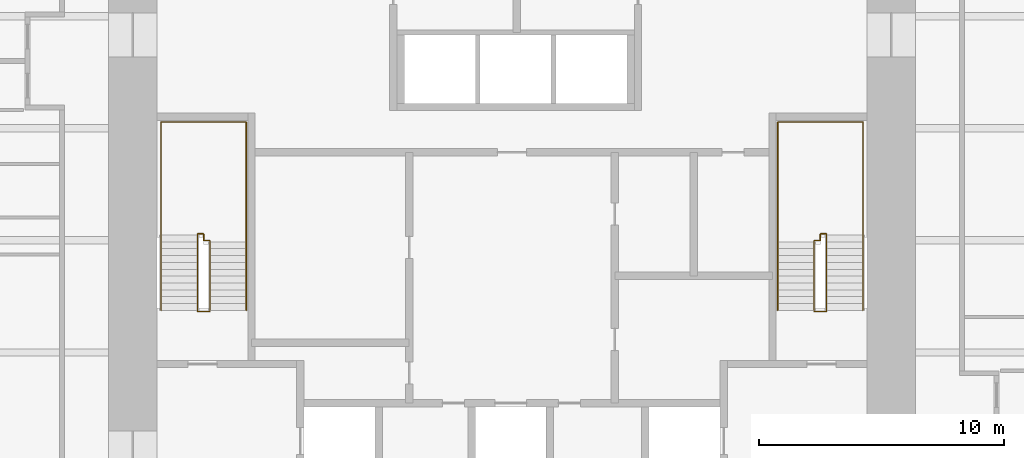
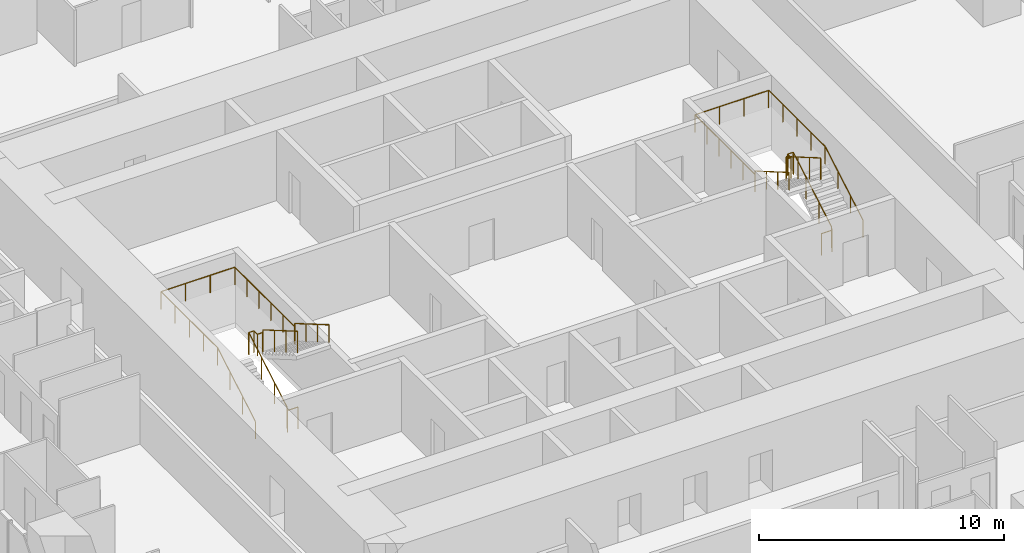
# One storey, part 13 of 13: 4 railings.
"""IFC4 building model written with IfcOpenShell, lengths in metres."""

from ifc_helpers import new_model, si_unit, direction, frame, origin, origin_2d, place, context, subcontext, project, spatial, circle, extrude, material, type_object, element, save


model = new_model("IFC4")

# Units and contexts
model_context = context("Model", 3, precision=1e-05, world=origin(), true_north=direction((0.0, 1.0)))
body_context = subcontext(model_context, "Body", "Model", "MODEL_VIEW")
ifc_project = project(units=[si_unit("LENGTHUNIT", "METRE"), si_unit("AREAUNIT", "SQUARE_METRE"), si_unit("VOLUMEUNIT", "CUBIC_METRE"), si_unit("PLANEANGLEUNIT", "RADIAN"), si_unit("MASSUNIT", "GRAM", prefix="KILO")], contexts=[model_context])

# Site, building, storey
site_placement = place(None, origin())
site = spatial("IfcSite", under=ifc_project, at=site_placement, CompositionType="ELEMENT")
building_placement = place(site_placement, origin())
building = spatial("IfcBuilding", under=site, at=building_placement, Name="Khuree Lantern Residences", CompositionType="ELEMENT")
storey_placement = place(building_placement, frame((0.0, 0.0, 152.25)))
storey = spatial("IfcBuildingStorey", under=building, at=storey_placement, Name="L38", CompositionType="ELEMENT", Elevation=152.25)

# Railings
ifc_material = material(Name="Steel S355", Category="steel")
railing_type_1 = type_object("IfcRailingType", Name="STAIR GUARD G1 1100", PredefinedType="GUARDRAIL", material=ifc_material)
railing_1_placement = place(storey_placement, frame((-12.35009765625, -2.909912109375, 0.0)))
element("IfcRailing", 1, at=railing_1_placement, inside=storey, type_object=railing_type_1, Name="Stair ST1 guard", PredefinedType="GUARDRAIL", context=body_context, shape_type="SweptSolid", body=[
    extrude(circle(Radius=0.02392578125, at=origin_2d()), frame((0.0, 0.0, 1.076171875), z_axis=(-1.0, 0.0, 0.0), x_axis=(0.0, -1.0, 0.0)), (0.0, 0.0, 1.0), 0.5),
    extrude(circle(Radius=0.02392578125, at=origin_2d()), frame((-0.5, 0.0, 1.076171875), z_axis=(0.0, 0.292073035251, 0.95639601739), x_axis=(-1.0, 0.0, 0.0)), (0.0, 0.0, 1.0), 0.17041015625),
    extrude(circle(Radius=0.02392578125, at=origin_2d()), frame((-0.5, 0.0498046875, 1.2392578125), z_axis=(0.0, 0.864176135923, 0.503189433615), x_axis=(-1.0, 0.0, 0.0)), (0.0, 0.0, 1.0), 3.564208984375),
    extrude(circle(Radius=0.02392578125, at=origin_2d()), frame((-0.5, 3.1298828125, 3.03271484375), z_axis=(0.0, 1.0, 0.0), x_axis=(-1.0, 0.0, 0.0)), (0.0, 0.0, 1.0), 0.050048828125),
    extrude(circle(Radius=0.02392578125, at=origin_2d()), frame((-0.5, 3.179931640625, 3.03271484375), z_axis=(1.0, 0.0, 0.0), x_axis=(0.0, 1.0, 0.0)), (0.0, 0.0, 1.0), 0.25),
    extrude(circle(Radius=0.02392578125, at=origin_2d()), frame((-0.25, 3.179931640625, 3.03271484375), z_axis=(0.0, -1.0, 0.0), x_axis=(1.0, 0.0, 0.0)), (0.0, 0.0, 1.0), 0.280029296875),
    extrude(circle(Radius=0.02392578125, at=origin_2d()), frame((-0.25, 2.89990234375, 3.03271484375), z_axis=(1.0, 0.0, 0.0), x_axis=(0.0, 1.0, 0.0)), (0.0, 0.0, 1.0), 0.25),
    extrude(circle(Radius=0.02392578125, at=origin_2d()), frame((0.0, 2.89990234375, 3.03271484375), z_axis=(0.0, -0.293381807449, 0.955995353053), x_axis=(1.0, 0.0, 0.0)), (0.0, 0.0, 1.0), 0.170654296875),
    extrude(circle(Radius=0.02392578125, at=origin_2d()), frame((0.0, 2.849853515625, 3.19580078125), z_axis=(0.0, -0.864180358799, 0.503182181189), x_axis=(1.0, 0.0, 0.0)), (0.0, 0.0, 1.0), 3.240234375),
    extrude(circle(Radius=0.02099609375, at=origin_2d()), origin(), (0.0, 0.0, 1.0), 1.052001953125),
    extrude(circle(Radius=0.02099609375, at=origin_2d()), frame((-0.5, 0.0, 0.0)), (0.0, 0.0, 1.0), 1.052001953125),
    extrude(circle(Radius=0.02099609375, at=origin_2d()), frame((-0.5, 0.0498046875, 0.1630859375)), (0.0, 0.0, 1.0), 1.052001953125),
    extrude(circle(Radius=0.02099609375, at=origin_2d()), frame((-0.5, 1.076416015625, 0.760986328125)), (0.0, 0.0, 1.0), 1.052001953125),
    extrude(circle(Radius=0.02099609375, at=origin_2d()), frame((-0.5, 2.103271484375, 1.358642578125)), (0.0, 0.0, 1.0), 1.052001953125),
    extrude(circle(Radius=0.02099609375, at=origin_2d()), frame((-0.5, 3.1298828125, 1.95654296875)), (0.0, 0.0, 1.0), 1.052001953125),
    extrude(circle(Radius=0.02099609375, at=origin_2d()), frame((-0.5, 3.179931640625, 1.95654296875)), (0.0, 0.0, 1.0), 1.052001953125),
    extrude(circle(Radius=0.02099609375, at=origin_2d()), frame((-0.25, 3.179931640625, 1.95654296875)), (0.0, 0.0, 1.0), 1.052001953125),
    extrude(circle(Radius=0.02099609375, at=origin_2d()), frame((-0.25, 2.89990234375, 1.95654296875)), (0.0, 0.0, 1.0), 1.052001953125),
    extrude(circle(Radius=0.02099609375, at=origin_2d()), frame((0.0, 2.89990234375, 1.95654296875)), (0.0, 0.0, 1.0), 1.052001953125),
    extrude(circle(Radius=0.02099609375, at=origin_2d()), frame((0.0, 2.849853515625, 2.11962890625)), (0.0, 0.0, 1.0), 1.052001953125),
    extrude(circle(Radius=0.02099609375, at=origin_2d()), frame((0.0, 1.91650390625, 2.6630859375)), (0.0, 0.0, 1.0), 1.052001953125),
    extrude(circle(Radius=0.02099609375, at=origin_2d()), frame((0.0, 0.983154296875, 3.20654296875)), (0.0, 0.0, 1.0), 1.052001953125),
    extrude(circle(Radius=0.02099609375, at=origin_2d()), frame((0.0, 0.0498046875, 3.75)), (0.0, 0.0, 1.0), 1.052001953125),
])
railing_2_placement = place(storey_placement, frame((12.35009765625, -2.909912109375, 0.0)))
element("IfcRailing", 2, at=railing_2_placement, inside=storey, type_object=railing_type_1, Name="Stair ST2 guard", PredefinedType="GUARDRAIL", context=body_context, shape_type="SweptSolid", body=[
    extrude(circle(Radius=0.02392578125, at=origin_2d()), frame((0.0, 0.0, 1.076171875), z_axis=(1.0, 0.0, 0.0), x_axis=(0.0, 1.0, 0.0)), (0.0, 0.0, 1.0), 0.5),
    extrude(circle(Radius=0.02392578125, at=origin_2d()), frame((0.5, 0.0, 1.076171875), z_axis=(0.0, 0.292073035251, 0.95639601739), x_axis=(-1.0, 0.0, 0.0)), (0.0, 0.0, 1.0), 0.17041015625),
    extrude(circle(Radius=0.02392578125, at=origin_2d()), frame((0.5, 0.0498046875, 1.2392578125), z_axis=(0.0, 0.864176135923, 0.503189433615), x_axis=(-1.0, 0.0, 0.0)), (0.0, 0.0, 1.0), 3.564208984375),
    extrude(circle(Radius=0.02392578125, at=origin_2d()), frame((0.5, 3.1298828125, 3.03271484375), z_axis=(0.0, 1.0, 0.0), x_axis=(-1.0, 0.0, 0.0)), (0.0, 0.0, 1.0), 0.050048828125),
    extrude(circle(Radius=0.02392578125, at=origin_2d()), frame((0.5, 3.179931640625, 3.03271484375), z_axis=(-1.0, 0.0, 0.0), x_axis=(0.0, -1.0, 0.0)), (0.0, 0.0, 1.0), 0.25),
    extrude(circle(Radius=0.02392578125, at=origin_2d()), frame((0.25, 3.179931640625, 3.03271484375), z_axis=(0.0, -1.0, 0.0), x_axis=(1.0, 0.0, 0.0)), (0.0, 0.0, 1.0), 0.280029296875),
    extrude(circle(Radius=0.02392578125, at=origin_2d()), frame((0.25, 2.89990234375, 3.03271484375), z_axis=(-1.0, 0.0, 0.0), x_axis=(0.0, -1.0, 0.0)), (0.0, 0.0, 1.0), 0.25),
    extrude(circle(Radius=0.02392578125, at=origin_2d()), frame((0.0, 2.89990234375, 3.03271484375), z_axis=(0.0, -0.293381807449, 0.955995353053), x_axis=(1.0, 0.0, 0.0)), (0.0, 0.0, 1.0), 0.170654296875),
    extrude(circle(Radius=0.02392578125, at=origin_2d()), frame((0.0, 2.849853515625, 3.19580078125), z_axis=(0.0, -0.864180358799, 0.503182181189), x_axis=(1.0, 0.0, 0.0)), (0.0, 0.0, 1.0), 3.240234375),
    extrude(circle(Radius=0.02099609375, at=origin_2d()), origin(), (0.0, 0.0, 1.0), 1.052001953125),
    extrude(circle(Radius=0.02099609375, at=origin_2d()), frame((0.5, 0.0, 0.0)), (0.0, 0.0, 1.0), 1.052001953125),
    extrude(circle(Radius=0.02099609375, at=origin_2d()), frame((0.5, 0.0498046875, 0.1630859375)), (0.0, 0.0, 1.0), 1.052001953125),
    extrude(circle(Radius=0.02099609375, at=origin_2d()), frame((0.5, 1.076416015625, 0.760986328125)), (0.0, 0.0, 1.0), 1.052001953125),
    extrude(circle(Radius=0.02099609375, at=origin_2d()), frame((0.5, 2.103271484375, 1.358642578125)), (0.0, 0.0, 1.0), 1.052001953125),
    extrude(circle(Radius=0.02099609375, at=origin_2d()), frame((0.5, 3.1298828125, 1.95654296875)), (0.0, 0.0, 1.0), 1.052001953125),
    extrude(circle(Radius=0.02099609375, at=origin_2d()), frame((0.5, 3.179931640625, 1.95654296875)), (0.0, 0.0, 1.0), 1.052001953125),
    extrude(circle(Radius=0.02099609375, at=origin_2d()), frame((0.25, 3.179931640625, 1.95654296875)), (0.0, 0.0, 1.0), 1.052001953125),
    extrude(circle(Radius=0.02099609375, at=origin_2d()), frame((0.25, 2.89990234375, 1.95654296875)), (0.0, 0.0, 1.0), 1.052001953125),
    extrude(circle(Radius=0.02099609375, at=origin_2d()), frame((0.0, 2.89990234375, 1.95654296875)), (0.0, 0.0, 1.0), 1.052001953125),
    extrude(circle(Radius=0.02099609375, at=origin_2d()), frame((0.0, 2.849853515625, 2.11962890625)), (0.0, 0.0, 1.0), 1.052001953125),
    extrude(circle(Radius=0.02099609375, at=origin_2d()), frame((0.0, 1.91650390625, 2.6630859375)), (0.0, 0.0, 1.0), 1.052001953125),
    extrude(circle(Radius=0.02099609375, at=origin_2d()), frame((0.0, 0.983154296875, 3.20654296875)), (0.0, 0.0, 1.0), 1.052001953125),
    extrude(circle(Radius=0.02099609375, at=origin_2d()), frame((0.0, 0.0498046875, 3.75)), (0.0, 0.0, 1.0), 1.052001953125),
])
railing_type_2 = type_object("IfcRailingType", Name="STAIR HANDRAIL H1 900", PredefinedType="HANDRAIL", material=ifc_material)
railing_3_placement = place(storey_placement, frame((-14.340087890625, -2.860107421875, 0.1630859375)))
element("IfcRailing", 3, at=railing_3_placement, inside=storey, type_object=railing_type_2, Name="Stair ST1 handrail", PredefinedType="HANDRAIL", context=body_context, shape_type="SweptSolid", body=[
    extrude(circle(Radius=0.02392578125, at=origin_2d()), frame((0.0, 0.0, 0.8759765625), z_axis=(0.0, 0.864176135923, 0.503189433615), x_axis=(-1.0, 0.0, 0.0)), (0.0, 0.0, 1.0), 3.564208984375),
    extrude(circle(Radius=0.02392578125, at=origin_2d()), frame((0.0, 3.080078125, 2.66943359375), z_axis=(0.0, 1.0, 0.0), x_axis=(-1.0, 0.0, 0.0)), (0.0, 0.0, 1.0), 4.6201171875),
    extrude(circle(Radius=0.02392578125, at=origin_2d()), frame((0.0, 7.7001953125, 2.66943359375), z_axis=(1.0, 0.0, 0.0), x_axis=(0.0, 1.0, 0.0)), (0.0, 0.0, 1.0), 3.47998046875),
    extrude(circle(Radius=0.02392578125, at=origin_2d()), frame((3.47998046875, 7.7001953125, 2.66943359375), z_axis=(0.0, -1.0, 0.0), x_axis=(1.0, 0.0, 0.0)), (0.0, 0.0, 1.0), 4.900146484375),
    extrude(circle(Radius=0.02392578125, at=origin_2d()), frame((3.47998046875, 2.800048828125, 2.66943359375), z_axis=(0.0, 0.0, 1.0), x_axis=(1.0, 0.0, 0.0)), (0.0, 0.0, 1.0), 0.1630859375),
    extrude(circle(Radius=0.02392578125, at=origin_2d()), frame((3.47998046875, 2.800048828125, 2.83251953125), z_axis=(0.0, -0.864180358799, 0.503182181189), x_axis=(1.0, 0.0, 0.0)), (0.0, 0.0, 1.0), 3.240234375),
    extrude(circle(Radius=0.02099609375, at=origin_2d()), origin(), (0.0, 0.0, 1.0), 0.851806640625),
    extrude(circle(Radius=0.02099609375, at=origin_2d()), frame((0.0, 1.026611328125, 0.597900390625)), (0.0, 0.0, 1.0), 0.851806640625),
    extrude(circle(Radius=0.02099609375, at=origin_2d()), frame((0.0, 2.053466796875, 1.195556640625)), (0.0, 0.0, 1.0), 0.851806640625),
    extrude(circle(Radius=0.02099609375, at=origin_2d()), frame((0.0, 3.080078125, 1.79345703125)), (0.0, 0.0, 1.0), 0.851806640625),
    extrude(circle(Radius=0.02099609375, at=origin_2d()), frame((0.0, 4.235107421875, 1.79345703125)), (0.0, 0.0, 1.0), 0.851806640625),
    extrude(circle(Radius=0.02099609375, at=origin_2d()), frame((0.0, 5.39013671875, 1.79345703125)), (0.0, 0.0, 1.0), 0.851806640625),
    extrude(circle(Radius=0.02099609375, at=origin_2d()), frame((0.0, 6.545166015625, 1.79345703125)), (0.0, 0.0, 1.0), 0.851806640625),
    extrude(circle(Radius=0.02099609375, at=origin_2d()), frame((0.0, 7.7001953125, 1.79345703125)), (0.0, 0.0, 1.0), 0.851806640625),
    extrude(circle(Radius=0.02099609375, at=origin_2d()), frame((1.159912109375, 7.7001953125, 1.79345703125)), (0.0, 0.0, 1.0), 0.851806640625),
    extrude(circle(Radius=0.02099609375, at=origin_2d()), frame((2.320068359375, 7.7001953125, 1.79345703125)), (0.0, 0.0, 1.0), 0.851806640625),
    extrude(circle(Radius=0.02099609375, at=origin_2d()), frame((3.47998046875, 7.7001953125, 1.79345703125)), (0.0, 0.0, 1.0), 0.851806640625),
    extrude(circle(Radius=0.02099609375, at=origin_2d()), frame((3.47998046875, 6.72021484375, 1.79345703125)), (0.0, 0.0, 1.0), 0.851806640625),
    extrude(circle(Radius=0.02099609375, at=origin_2d()), frame((3.47998046875, 5.740234375, 1.79345703125)), (0.0, 0.0, 1.0), 0.851806640625),
    extrude(circle(Radius=0.02099609375, at=origin_2d()), frame((3.47998046875, 4.760009765625, 1.79345703125)), (0.0, 0.0, 1.0), 0.851806640625),
    extrude(circle(Radius=0.02099609375, at=origin_2d()), frame((3.47998046875, 3.780029296875, 1.79345703125)), (0.0, 0.0, 1.0), 0.851806640625),
    extrude(circle(Radius=0.02099609375, at=origin_2d()), frame((3.47998046875, 2.800048828125, 1.79345703125)), (0.0, 0.0, 1.0), 0.851806640625),
    extrude(circle(Radius=0.02099609375, at=origin_2d()), frame((3.47998046875, 2.800048828125, 1.95654296875)), (0.0, 0.0, 1.0), 0.851806640625),
    extrude(circle(Radius=0.02099609375, at=origin_2d()), frame((3.47998046875, 1.86669921875, 2.5)), (0.0, 0.0, 1.0), 0.851806640625),
    extrude(circle(Radius=0.02099609375, at=origin_2d()), frame((3.47998046875, 0.933349609375, 3.04345703125)), (0.0, 0.0, 1.0), 0.851806640625),
    extrude(circle(Radius=0.02099609375, at=origin_2d()), frame((3.47998046875, 0.0, 3.5869140625)), (0.0, 0.0, 1.0), 0.851806640625),
])
railing_4_placement = place(storey_placement, frame((14.340087890625, -2.860107421875, 0.1630859375)))
element("IfcRailing", 4, at=railing_4_placement, inside=storey, type_object=railing_type_2, Name="Stair ST2 handrail", PredefinedType="HANDRAIL", context=body_context, shape_type="SweptSolid", body=[
    extrude(circle(Radius=0.02392578125, at=origin_2d()), frame((0.0, 0.0, 0.8759765625), z_axis=(0.0, 0.864176135923, 0.503189433615), x_axis=(-1.0, 0.0, 0.0)), (0.0, 0.0, 1.0), 3.564208984375),
    extrude(circle(Radius=0.02392578125, at=origin_2d()), frame((0.0, 3.080078125, 2.66943359375), z_axis=(0.0, 1.0, 0.0), x_axis=(-1.0, 0.0, 0.0)), (0.0, 0.0, 1.0), 4.6201171875),
    extrude(circle(Radius=0.02392578125, at=origin_2d()), frame((0.0, 7.7001953125, 2.66943359375), z_axis=(-1.0, 0.0, 0.0), x_axis=(0.0, -1.0, 0.0)), (0.0, 0.0, 1.0), 3.47998046875),
    extrude(circle(Radius=0.02392578125, at=origin_2d()), frame((-3.47998046875, 7.7001953125, 2.66943359375), z_axis=(0.0, -1.0, 0.0), x_axis=(1.0, 0.0, 0.0)), (0.0, 0.0, 1.0), 4.900146484375),
    extrude(circle(Radius=0.02392578125, at=origin_2d()), frame((-3.47998046875, 2.800048828125, 2.66943359375), z_axis=(0.0, 0.0, 1.0), x_axis=(1.0, 0.0, 0.0)), (0.0, 0.0, 1.0), 0.1630859375),
    extrude(circle(Radius=0.02392578125, at=origin_2d()), frame((-3.47998046875, 2.800048828125, 2.83251953125), z_axis=(0.0, -0.864180358799, 0.503182181189), x_axis=(1.0, 0.0, 0.0)), (0.0, 0.0, 1.0), 3.240234375),
    extrude(circle(Radius=0.02099609375, at=origin_2d()), origin(), (0.0, 0.0, 1.0), 0.851806640625),
    extrude(circle(Radius=0.02099609375, at=origin_2d()), frame((0.0, 1.026611328125, 0.597900390625)), (0.0, 0.0, 1.0), 0.851806640625),
    extrude(circle(Radius=0.02099609375, at=origin_2d()), frame((0.0, 2.053466796875, 1.195556640625)), (0.0, 0.0, 1.0), 0.851806640625),
    extrude(circle(Radius=0.02099609375, at=origin_2d()), frame((0.0, 3.080078125, 1.79345703125)), (0.0, 0.0, 1.0), 0.851806640625),
    extrude(circle(Radius=0.02099609375, at=origin_2d()), frame((0.0, 4.235107421875, 1.79345703125)), (0.0, 0.0, 1.0), 0.851806640625),
    extrude(circle(Radius=0.02099609375, at=origin_2d()), frame((0.0, 5.39013671875, 1.79345703125)), (0.0, 0.0, 1.0), 0.851806640625),
    extrude(circle(Radius=0.02099609375, at=origin_2d()), frame((0.0, 6.545166015625, 1.79345703125)), (0.0, 0.0, 1.0), 0.851806640625),
    extrude(circle(Radius=0.02099609375, at=origin_2d()), frame((0.0, 7.7001953125, 1.79345703125)), (0.0, 0.0, 1.0), 0.851806640625),
    extrude(circle(Radius=0.02099609375, at=origin_2d()), frame((-1.159912109375, 7.7001953125, 1.79345703125)), (0.0, 0.0, 1.0), 0.851806640625),
    extrude(circle(Radius=0.02099609375, at=origin_2d()), frame((-2.320068359375, 7.7001953125, 1.79345703125)), (0.0, 0.0, 1.0), 0.851806640625),
    extrude(circle(Radius=0.02099609375, at=origin_2d()), frame((-3.47998046875, 7.7001953125, 1.79345703125)), (0.0, 0.0, 1.0), 0.851806640625),
    extrude(circle(Radius=0.02099609375, at=origin_2d()), frame((-3.47998046875, 6.72021484375, 1.79345703125)), (0.0, 0.0, 1.0), 0.851806640625),
    extrude(circle(Radius=0.02099609375, at=origin_2d()), frame((-3.47998046875, 5.740234375, 1.79345703125)), (0.0, 0.0, 1.0), 0.851806640625),
    extrude(circle(Radius=0.02099609375, at=origin_2d()), frame((-3.47998046875, 4.760009765625, 1.79345703125)), (0.0, 0.0, 1.0), 0.851806640625),
    extrude(circle(Radius=0.02099609375, at=origin_2d()), frame((-3.47998046875, 3.780029296875, 1.79345703125)), (0.0, 0.0, 1.0), 0.851806640625),
    extrude(circle(Radius=0.02099609375, at=origin_2d()), frame((-3.47998046875, 2.800048828125, 1.79345703125)), (0.0, 0.0, 1.0), 0.851806640625),
    extrude(circle(Radius=0.02099609375, at=origin_2d()), frame((-3.47998046875, 2.800048828125, 1.95654296875)), (0.0, 0.0, 1.0), 0.851806640625),
    extrude(circle(Radius=0.02099609375, at=origin_2d()), frame((-3.47998046875, 1.86669921875, 2.5)), (0.0, 0.0, 1.0), 0.851806640625),
    extrude(circle(Radius=0.02099609375, at=origin_2d()), frame((-3.47998046875, 0.933349609375, 3.04345703125)), (0.0, 0.0, 1.0), 0.851806640625),
    extrude(circle(Radius=0.02099609375, at=origin_2d()), frame((-3.47998046875, 0.0, 3.5869140625)), (0.0, 0.0, 1.0), 0.851806640625),
])

save(model, "model.ifc")
